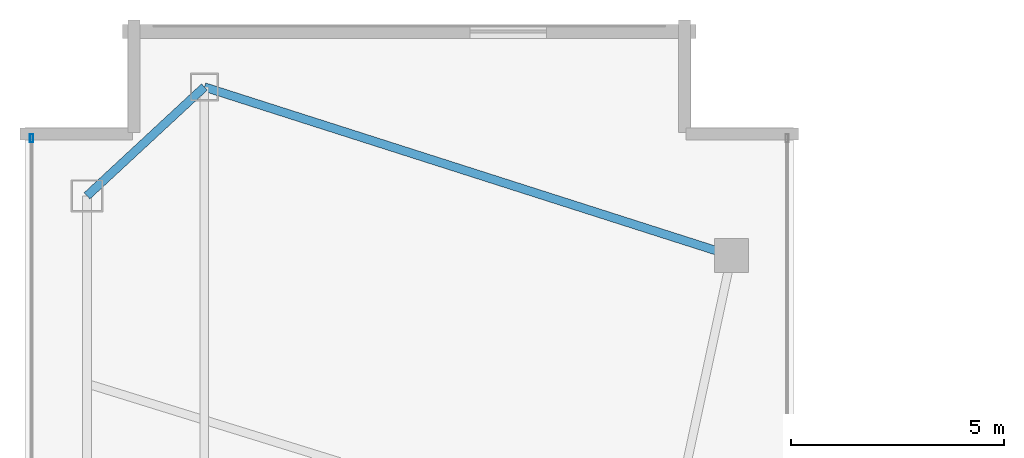
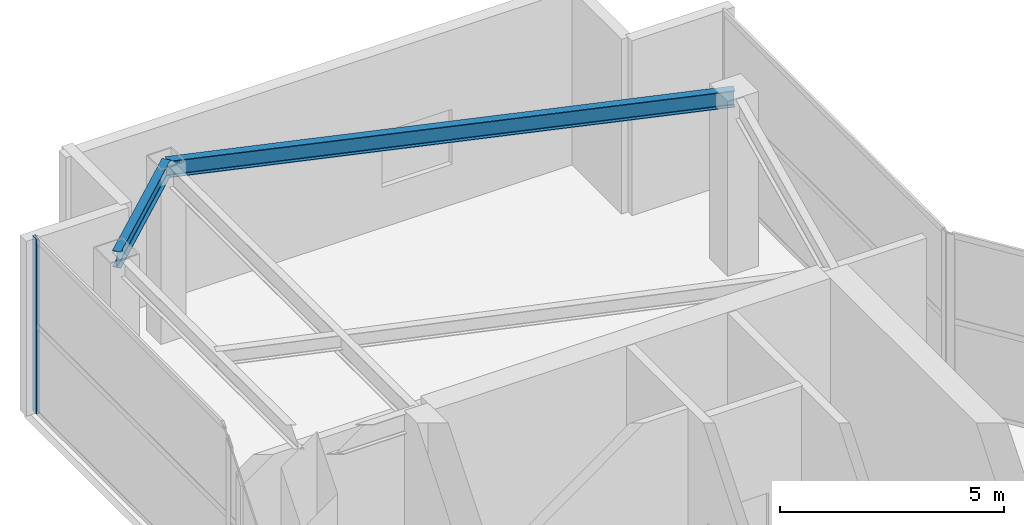
# One storey, part 15 of 21: 2 beams, 1 member, 1 element without a shape of its own.
"""IFC4 building model written with IfcOpenShell, lengths in metres."""

from ifc_helpers import new_model, si_unit, direction, frame, origin, origin_2d, place, context, subcontext, project, spatial, hollow_rectangle, i_section, extrude, material, layer, layer_set, material_profile, profile_set, type_object, element, aggregate, save


model = new_model("IFC4")

# Units and contexts
model_context = context("Model", 3, precision=1e-05, world=origin(), true_north=direction((0.0, 1.0)))
body_context = subcontext(model_context, "Body", "Model", "MODEL_VIEW")
ifc_project = project(units=[si_unit("LENGTHUNIT", "METRE"), si_unit("AREAUNIT", "SQUARE_METRE"), si_unit("VOLUMEUNIT", "CUBIC_METRE"), si_unit("PLANEANGLEUNIT", "RADIAN"), si_unit("MASSUNIT", "GRAM", prefix="KILO")], contexts=[model_context])

# Site, building, storey
site_placement = place(None, origin())
site = spatial("IfcSite", under=ifc_project, at=site_placement, CompositionType="ELEMENT")
building_placement = place(site_placement, origin())
building = spatial("IfcBuilding", under=site, at=building_placement, Name="Calvorn Quay Hotel", CompositionType="ELEMENT")
storey_placement = place(building_placement, frame((0.0, 0.0, 330.5)))
storey = spatial("IfcBuildingStorey", under=building, at=storey_placement, Name="L81", CompositionType="ELEMENT", Elevation=330.5)

# Beams
ifc_material_1 = material(Name="Steel Q355B", Category="steel")
ifc_material_profile_1 = material_profile(ifc_material_1, i_section(OverallWidth=0.199951171875, OverallDepth=0.449951171875, WebThickness=0.009033203125, FlangeThickness=0.013916015625, FilletRadius=0.01611328125, at=origin_2d()), Name="HN450x200x9x14")
ifc_profile_set_1 = profile_set([ifc_material_profile_1], Name="Steel Q355B")
beam_type = type_object("IfcBeamType", Name="BM-SPANDREL-Z3", PredefinedType="SPANDREL", material=ifc_profile_set_1)
beam_1_placement = place(storey_placement, frame((1.449951171875, 47.0, 4.514892578125), z_axis=(0.733261665538, 0.679946563969, 0.0), x_axis=(-0.679946563969, 0.733261665538, 0.0)))
element("IfcBeam", 1, at=beam_1_placement, inside=storey, type_object=beam_type, Name="Beam BSP-L81-W5", PredefinedType="SPANDREL", context=body_context, shape_type="SweptSolid", body=[
    extrude(i_section(OverallWidth=0.199951171875, OverallDepth=0.449951171875, WebThickness=0.009033203125, FlangeThickness=0.013916015625, FilletRadius=0.01611328125, at=origin_2d()), origin(), (0.0, 0.0, 1.0), 3.75048828125),
])
beam_2_placement = place(storey_placement, frame((4.199951171875, 49.550048828125, 4.514892578125), z_axis=(0.952470702374, -0.304630203885, 0.0), x_axis=(0.304630203885, 0.952470702374, 0.0)))
element("IfcBeam", 2, at=beam_2_placement, inside=storey, type_object=beam_type, Name="Beam BSP-L81-W6", PredefinedType="SPANDREL", context=body_context, shape_type="SweptSolid", body=[
    extrude(i_section(OverallWidth=0.199951171875, OverallDepth=0.449951171875, WebThickness=0.009033203125, FlangeThickness=0.013916015625, FilletRadius=0.01611328125, at=origin_2d()), origin(), (0.0, 0.0, 1.0), 12.96630859375),
])

# Curtain wall, member
ifc_material_2 = material(Name="Pale Anodised Aluminium and Laminated Glass", Category="aluminium")
ifc_layer = layer(ifc_material_2, 0.219970703125)
ifc_layer_set = layer_set([ifc_layer], Name="CW-SYS-CRN")
curtain_wall_type = type_object("IfcCurtainWallType", Name="CW-SYS-CRN", PredefinedType="NOTDEFINED", material=ifc_layer_set)
curtain_wall_placement = place(storey_placement, origin())
curtain_wall = element("IfcCurtainWall", 3, at=curtain_wall_placement, inside=storey, type_object=curtain_wall_type, Name="Crown Curtain Wall L81-C5", PredefinedType="NOTDEFINED")
ifc_material_3 = material(Name="Pale Anodised Aluminium 6063-T6", Category="aluminium")
ifc_material_profile_2 = material_profile(ifc_material_3, hollow_rectangle(XDim=0.072021484375, YDim=0.195068359375, WallThickness=0.00390625, at=origin_2d()), Name="ALU-M195x72x4")
ifc_profile_set_2 = profile_set([ifc_material_profile_2], Name="Pale Anodised Aluminium 6063-T6")
member_type = type_object("IfcMemberType", Name="CW-SYS-CRN-MUL", PredefinedType="MULLION", material=ifc_profile_set_2)
member_placement = place(storey_placement, frame((0.14990234375, 48.35009765625, 0.0), z_axis=(0.0, 0.0, 1.0), x_axis=(1.0, 0.0, 0.0)))
member = element("IfcMember", 4, at=member_placement, type_object=member_type, Name="CW-L81-C5 mullion 1", PredefinedType="MULLION", context=body_context, shape_type="SweptSolid", body=[
    extrude(hollow_rectangle(XDim=0.072021484375, YDim=0.195068359375, WallThickness=0.00390625, at=origin_2d()), origin(), (0.0, 0.0, 1.0), 4.760009765625),
])
aggregate(curtain_wall, [member])

save(model, "model.ifc")
